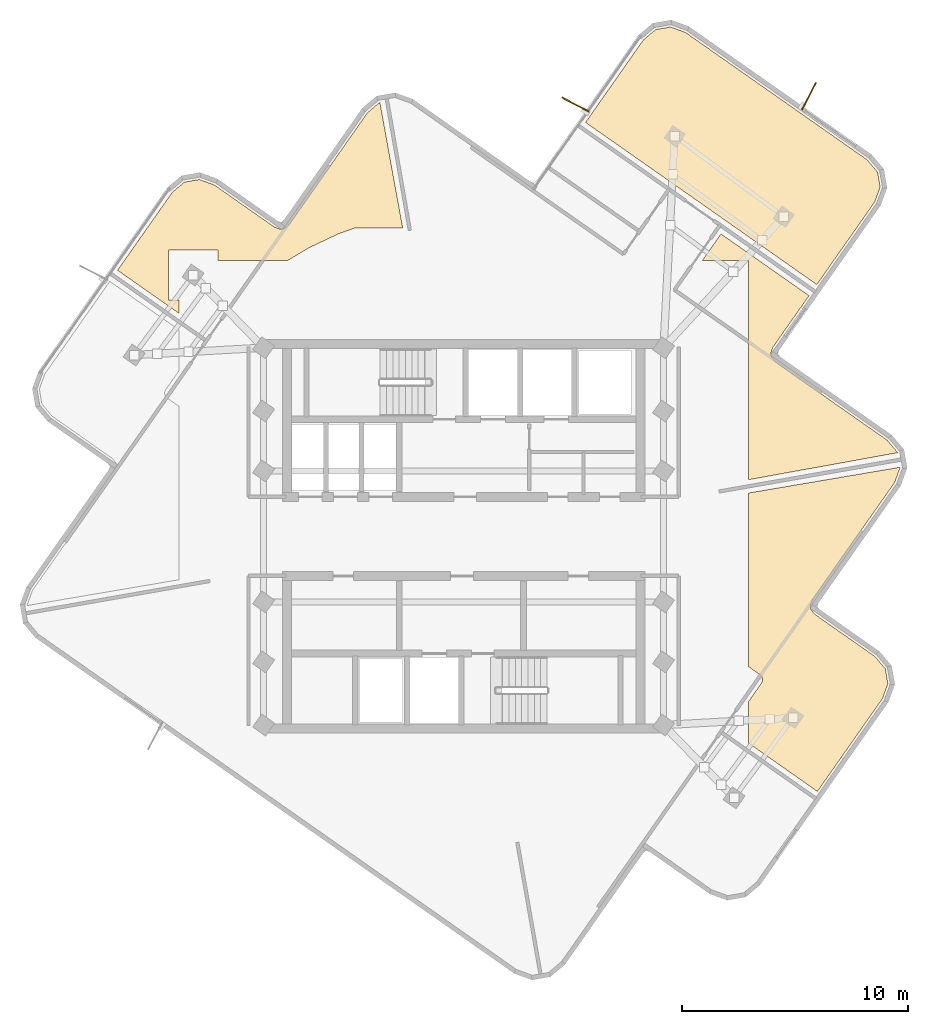
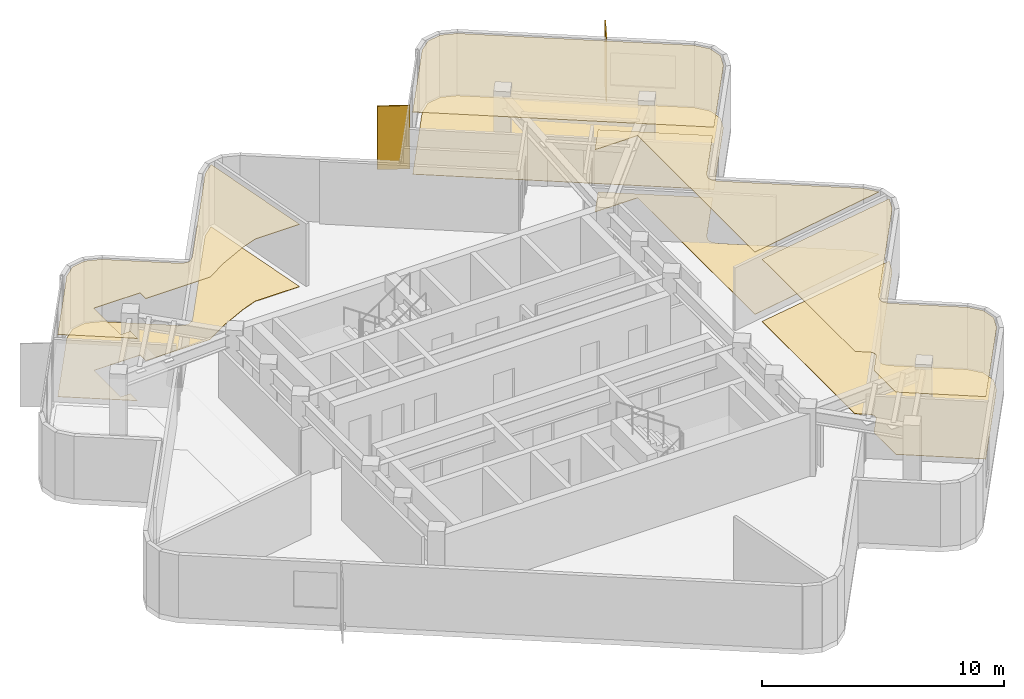
# One storey, part 9 of 9: 8 coverings, 2 shading devices.
"""IFC4 building model written with IfcOpenShell, lengths in metres."""

from ifc_helpers import new_model, si_unit, direction, frame, origin, origin_2d, place, context, subcontext, project, spatial, polyline, rectangle, outline, extrude, material, layer, layer_set, type_object, element, save


model = new_model("IFC4")

# Units and contexts
model_context = context("Model", 3, precision=1e-05, world=origin(), true_north=direction((0.0, 1.0)))
body_context = subcontext(model_context, "Body", "Model", "MODEL_VIEW")
ifc_project = project(units=[si_unit("LENGTHUNIT", "METRE"), si_unit("AREAUNIT", "SQUARE_METRE"), si_unit("VOLUMEUNIT", "CUBIC_METRE"), si_unit("PLANEANGLEUNIT", "RADIAN"), si_unit("MASSUNIT", "GRAM", prefix="KILO")], contexts=[model_context])

# Site, building, storey
site_placement = place(None, origin())
site = spatial("IfcSite", under=ifc_project, at=site_placement, CompositionType="ELEMENT")
building_placement = place(site_placement, origin())
building = spatial("IfcBuilding", under=site, at=building_placement, Name="Solmarez Civic Tower", CompositionType="ELEMENT")
storey_placement = place(building_placement, frame((0.0, 0.0, 268.02001953125)))
storey = spatial("IfcBuildingStorey", under=building, at=storey_placement, Name="L72", CompositionType="ELEMENT", Elevation=268.02001953125)

# Coverings
ifc_material_1 = material(Name="Perforated Mineral-Fibre Acoustic Ceiling")
ifc_layer_1 = layer(ifc_material_1, 0.02490234375)
ifc_layer_set_1 = layer_set([ifc_layer_1], Name="Perforated Mineral-Fibre Acoustic Ceiling")
covering_type_1 = type_object("IfcCoveringType", Name="COV-CEIL-ACOUSTIC", PredefinedType="CEILING", material=ifc_layer_set_1)
covering_1_placement = place(storey_placement, frame((0.0, 0.0, 3.135009765625)))
element("IfcCovering", 1, at=covering_1_placement, inside=storey, type_object=covering_type_1, Name="L72 Suspended Acoustic Ceiling 2", PredefinedType="CEILING", context=body_context, shape_type="SweptSolid", body=[
    extrude(outline(polyline([(15.632080078125, 11.14404296875), (18.193115234375, 14.797119140625), (18.43603515625, 15.4619140625), (18.321044921875, 16.1201171875), (17.864990234375, 16.662109375), (9.823974609375, 22.301025390625), (9.158935546875, 22.5439453125), (8.501953125, 22.428955078125), (7.9580078125, 21.97412109375), (5.39697265625, 18.322021484375), (15.632080078125, 11.14404296875)])), origin(), (0.0, 0.0, 1.0), 0.02490234375),
])
covering_2_placement = place(storey_placement, frame((0.0, 0.0, 3.135009765625)))
element("IfcCovering", 2, at=covering_2_placement, inside=storey, type_object=covering_type_1, Name="L72 Suspended Acoustic Ceiling 3", PredefinedType="CEILING", context=body_context, shape_type="SweptSolid", body=[
    extrude(outline(polyline([(12.60009765625, 1.9189453125), (12.60009765625, -5.757080078125), (13.114013671875, -6.117919921875), (13.1201171875, -6.1220703125), (13.1240234375, -6.125), (13.14208984375, -6.139892578125), (13.158935546875, -6.157958984375), (13.1650390625, -6.1650390625), (13.174072265625, -6.176025390625), (13.179931640625, -6.18408203125), (13.19091796875, -6.199951171875), (13.199951171875, -6.217041015625), (13.2080078125, -6.23388671875), (13.2099609375, -6.239013671875), (13.216064453125, -6.256103515625), (13.220947265625, -6.27294921875), (13.222900390625, -6.281982421875), (13.22412109375, -6.287109375), (13.22509765625, -6.2919921875), (13.22802734375, -6.31298828125), (13.22900390625, -6.3349609375), (13.22900390625, -6.344970703125), (13.22802734375, -6.366943359375), (13.22509765625, -6.387939453125), (13.22412109375, -6.39306640625), (13.217041015625, -6.419921875), (13.214111328125, -6.428955078125), (13.208984375, -6.44091796875), (13.20703125, -6.446044921875), (13.198974609375, -6.462890625), (13.18994140625, -6.47998046875), (13.177978515625, -6.4970703125), (12.60009765625, -7.321044921875), (12.60009765625, -9.14111328125), (15.657958984375, -11.285888671875), (18.534912109375, -7.18310546875), (18.778076171875, -6.51806640625), (18.6630859375, -5.860107421875), (18.2080078125, -5.31689453125), (15.5859375, -3.47900390625), (15.569091796875, -3.466064453125), (15.552001953125, -3.451904296875), (15.547119140625, -3.447021484375), (15.529052734375, -3.426025390625), (15.4189453125, -3.294921875), (15.4140625, -3.2890625), (15.39990234375, -3.27001953125), (15.39599609375, -3.263916015625), (15.385986328125, -3.2470703125), (15.376953125, -3.22900390625), (15.3740234375, -3.221923828125), (15.37109375, -3.215087890625), (15.361083984375, -3.18798828125), (15.35888671875, -3.180908203125), (15.35498046875, -3.1650390625), (15.35302734375, -3.14794921875), (15.35107421875, -3.132080078125), (15.34912109375, -3.113037109375), (15.34912109375, -3.093017578125), (15.35009765625, -3.0830078125), (15.35107421875, -3.070068359375), (15.35400390625, -3.049072265625), (15.35791015625, -3.030029296875), (15.360107421875, -3.02294921875), (15.362060546875, -3.01611328125), (15.366943359375, -3.0009765625), (15.426025390625, -2.839111328125), (15.43701171875, -2.81396484375), (15.446044921875, -2.7958984375), (15.4560546875, -2.779052734375), (15.462890625, -2.76904296875), (19.080078125, 2.388916015625), (19.322021484375, 3.053955078125), (19.321044921875, 3.06103515625), (12.60009765625, 1.9189453125)])), origin(), (0.0, 0.0, 1.0), 0.02490234375),
])
covering_3_placement = place(storey_placement, frame((0.0, 0.0, 3.135009765625)))
element("IfcCovering", 3, at=covering_3_placement, inside=storey, type_object=covering_type_1, Name="L72 Suspended Acoustic Ceiling 4", PredefinedType="CEILING", context=body_context, shape_type="SweptSolid", body=[
    extrude(outline(polyline([(10.55908203125, 12.199951171875), (12.60009765625, 12.199951171875), (12.60009765625, 2.507080078125), (19.208984375, 3.705078125), (19.20703125, 3.7119140625), (18.751953125, 4.25390625), (13.842041015625, 7.697998046875), (13.837890625, 7.700927734375), (13.821044921875, 7.714111328125), (13.803955078125, 7.72802734375), (13.799072265625, 7.73291015625), (13.781005859375, 7.75390625), (13.672119140625, 7.884033203125), (13.656982421875, 7.904052734375), (13.64892578125, 7.916015625), (13.64111328125, 7.928955078125), (13.636962890625, 7.93603515625), (13.6259765625, 7.9580078125), (13.623046875, 7.965087890625), (13.613037109375, 7.991943359375), (13.611083984375, 7.9990234375), (13.60693359375, 8.014892578125), (13.60498046875, 8.031982421875), (13.60400390625, 8.0400390625), (13.60205078125, 8.06689453125), (13.60205078125, 8.08203125), (13.60400390625, 8.10888671875), (13.60498046875, 8.12109375), (13.60595703125, 8.1279296875), (13.612060546875, 8.156982421875), (13.614013671875, 8.1640625), (13.618896484375, 8.178955078125), (13.677978515625, 8.341064453125), (13.68896484375, 8.365966796875), (13.697021484375, 8.383056640625), (13.7080078125, 8.39990234375), (13.718017578125, 8.4150390625), (15.2880859375, 10.653076171875), (11.39111328125, 13.386962890625), (10.55908203125, 12.199951171875)])), origin(), (0.0, 0.0, 1.0), 0.02490234375),
])
covering_4_placement = place(storey_placement, frame((0.0, 0.0, 3.135009765625)))
element("IfcCovering", 4, at=covering_4_placement, inside=storey, type_object=covering_type_1, Name="L72 Suspended Acoustic Ceiling 5", PredefinedType="CEILING", context=body_context, shape_type="SweptSolid", body=[
    extrude(outline(polyline([(-12.60009765625, 9.8740234375), (-12.60009765625, 10.466064453125), (-13.071044921875, 10.466064453125), (-13.071044921875, 12.666015625), (-10.87109375, 12.666015625), (-10.87109375, 12.199951171875), (-7.797119140625, 12.199951171875), (-6.842041015625, 12.77294921875), (-6.826904296875, 12.781005859375), (-6.81396484375, 12.787109375), (-5.552978515625, 13.384033203125), (-5.532958984375, 13.39208984375), (-4.85107421875, 13.635986328125), (-4.844970703125, 13.637939453125), (-4.818115234375, 13.64501953125), (-4.81298828125, 13.64599609375), (-4.7919921875, 13.64892578125), (-4.77001953125, 13.64990234375), (-2.697021484375, 13.64990234375), (-3.705078125, 19.208984375), (-3.7119140625, 19.20703125), (-4.25390625, 18.751953125), (-7.697998046875, 13.842041015625), (-7.700927734375, 13.837890625), (-7.714111328125, 13.821044921875), (-7.72802734375, 13.803955078125), (-7.73291015625, 13.799072265625), (-7.75390625, 13.781005859375), (-7.884033203125, 13.672119140625), (-7.904052734375, 13.656982421875), (-7.916015625, 13.64892578125), (-7.928955078125, 13.64111328125), (-7.93603515625, 13.636962890625), (-7.9580078125, 13.6259765625), (-7.965087890625, 13.623046875), (-7.991943359375, 13.613037109375), (-7.9990234375, 13.611083984375), (-8.014892578125, 13.60693359375), (-8.031982421875, 13.60498046875), (-8.0400390625, 13.60400390625), (-8.06689453125, 13.60205078125), (-8.08203125, 13.60205078125), (-8.10888671875, 13.60400390625), (-8.12109375, 13.60498046875), (-8.1279296875, 13.60595703125), (-8.156982421875, 13.612060546875), (-8.1640625, 13.614013671875), (-8.178955078125, 13.618896484375), (-8.341064453125, 13.677978515625), (-8.365966796875, 13.68896484375), (-8.383056640625, 13.697021484375), (-8.39990234375, 13.7080078125), (-8.4150390625, 13.718017578125), (-11.031005859375, 15.552001953125), (-11.696044921875, 15.794921875), (-12.35400390625, 15.679931640625), (-12.89599609375, 15.22412109375), (-15.31396484375, 11.777099609375), (-12.60009765625, 9.8740234375)])), origin(), (0.0, 0.0, 1.0), 0.02490234375),
])
ifc_material_2 = material(Name="Polished Tropical Stone Terrazzo Flooring", Category="masonry")
ifc_layer_2 = layer(ifc_material_2, 0.02001953125)
ifc_layer_set_2 = layer_set([ifc_layer_2], Name="Polished Tropical Stone Terrazzo Flooring")
covering_type_2 = type_object("IfcCoveringType", Name="COV-FLOOR-TERRAZZO", PredefinedType="FLOORING", material=ifc_layer_set_2)
covering_5_placement = place(storey_placement, origin())
element("IfcCovering", 5, at=covering_5_placement, inside=storey, type_object=covering_type_2, Name="L72 Terrazzo Floor Finish 2", PredefinedType="FLOORING", context=body_context, shape_type="SweptSolid", body=[
    extrude(outline(polyline([(15.632080078125, 11.14404296875), (18.193115234375, 14.797119140625), (18.43603515625, 15.4619140625), (18.321044921875, 16.1201171875), (17.864990234375, 16.662109375), (9.823974609375, 22.301025390625), (9.158935546875, 22.5439453125), (8.501953125, 22.428955078125), (7.9580078125, 21.97412109375), (5.39697265625, 18.322021484375), (15.632080078125, 11.14404296875)])), origin(), (0.0, 0.0, 1.0), 0.02001953125),
])
covering_6_placement = place(storey_placement, origin())
element("IfcCovering", 6, at=covering_6_placement, inside=storey, type_object=covering_type_2, Name="L72 Terrazzo Floor Finish 3", PredefinedType="FLOORING", context=body_context, shape_type="SweptSolid", body=[
    extrude(outline(polyline([(12.60009765625, 1.9189453125), (12.60009765625, -5.757080078125), (13.114013671875, -6.117919921875), (13.1201171875, -6.1220703125), (13.1240234375, -6.125), (13.14208984375, -6.139892578125), (13.158935546875, -6.157958984375), (13.1650390625, -6.1650390625), (13.174072265625, -6.176025390625), (13.179931640625, -6.18408203125), (13.19091796875, -6.199951171875), (13.199951171875, -6.217041015625), (13.2080078125, -6.23388671875), (13.2099609375, -6.239013671875), (13.216064453125, -6.256103515625), (13.220947265625, -6.27294921875), (13.222900390625, -6.281982421875), (13.22412109375, -6.287109375), (13.22509765625, -6.2919921875), (13.22802734375, -6.31298828125), (13.22900390625, -6.3349609375), (13.22900390625, -6.344970703125), (13.22802734375, -6.366943359375), (13.22509765625, -6.387939453125), (13.22412109375, -6.39306640625), (13.217041015625, -6.419921875), (13.214111328125, -6.428955078125), (13.208984375, -6.44091796875), (13.20703125, -6.446044921875), (13.198974609375, -6.462890625), (13.18994140625, -6.47998046875), (13.177978515625, -6.4970703125), (12.60009765625, -7.321044921875), (12.60009765625, -9.14111328125), (15.657958984375, -11.285888671875), (18.534912109375, -7.18310546875), (18.778076171875, -6.51806640625), (18.6630859375, -5.860107421875), (18.2080078125, -5.31689453125), (15.5859375, -3.47900390625), (15.569091796875, -3.466064453125), (15.552001953125, -3.451904296875), (15.547119140625, -3.447021484375), (15.529052734375, -3.426025390625), (15.4189453125, -3.294921875), (15.4140625, -3.2890625), (15.39990234375, -3.27001953125), (15.39599609375, -3.263916015625), (15.385986328125, -3.2470703125), (15.376953125, -3.22900390625), (15.3740234375, -3.221923828125), (15.37109375, -3.215087890625), (15.361083984375, -3.18798828125), (15.35888671875, -3.180908203125), (15.35498046875, -3.1650390625), (15.35302734375, -3.14794921875), (15.35107421875, -3.132080078125), (15.34912109375, -3.113037109375), (15.34912109375, -3.093017578125), (15.35009765625, -3.0830078125), (15.35107421875, -3.070068359375), (15.35400390625, -3.049072265625), (15.35791015625, -3.030029296875), (15.360107421875, -3.02294921875), (15.362060546875, -3.01611328125), (15.366943359375, -3.0009765625), (15.426025390625, -2.839111328125), (15.43701171875, -2.81396484375), (15.446044921875, -2.7958984375), (15.4560546875, -2.779052734375), (15.462890625, -2.76904296875), (19.080078125, 2.388916015625), (19.322021484375, 3.053955078125), (19.321044921875, 3.06103515625), (12.60009765625, 1.9189453125)])), origin(), (0.0, 0.0, 1.0), 0.02001953125),
])
covering_7_placement = place(storey_placement, origin())
element("IfcCovering", 7, at=covering_7_placement, inside=storey, type_object=covering_type_2, Name="L72 Terrazzo Floor Finish 4", PredefinedType="FLOORING", context=body_context, shape_type="SweptSolid", body=[
    extrude(outline(polyline([(10.55908203125, 12.199951171875), (12.60009765625, 12.199951171875), (12.60009765625, 2.507080078125), (19.208984375, 3.705078125), (19.20703125, 3.7119140625), (18.751953125, 4.25390625), (13.842041015625, 7.697998046875), (13.837890625, 7.700927734375), (13.821044921875, 7.714111328125), (13.803955078125, 7.72802734375), (13.799072265625, 7.73291015625), (13.781005859375, 7.75390625), (13.672119140625, 7.884033203125), (13.656982421875, 7.904052734375), (13.64892578125, 7.916015625), (13.64111328125, 7.928955078125), (13.636962890625, 7.93603515625), (13.6259765625, 7.9580078125), (13.623046875, 7.965087890625), (13.613037109375, 7.991943359375), (13.611083984375, 7.9990234375), (13.60693359375, 8.014892578125), (13.60498046875, 8.031982421875), (13.60400390625, 8.0400390625), (13.60205078125, 8.06689453125), (13.60205078125, 8.08203125), (13.60400390625, 8.10888671875), (13.60498046875, 8.12109375), (13.60595703125, 8.1279296875), (13.612060546875, 8.156982421875), (13.614013671875, 8.1640625), (13.618896484375, 8.178955078125), (13.677978515625, 8.341064453125), (13.68896484375, 8.365966796875), (13.697021484375, 8.383056640625), (13.7080078125, 8.39990234375), (13.718017578125, 8.4150390625), (15.2880859375, 10.653076171875), (11.39111328125, 13.386962890625), (10.55908203125, 12.199951171875)])), origin(), (0.0, 0.0, 1.0), 0.02001953125),
])
covering_8_placement = place(storey_placement, origin())
element("IfcCovering", 8, at=covering_8_placement, inside=storey, type_object=covering_type_2, Name="L72 Terrazzo Floor Finish 5", PredefinedType="FLOORING", context=body_context, shape_type="SweptSolid", body=[
    extrude(outline(polyline([(-12.60009765625, 9.8740234375), (-12.60009765625, 10.466064453125), (-13.071044921875, 10.466064453125), (-13.071044921875, 12.666015625), (-10.87109375, 12.666015625), (-10.87109375, 12.199951171875), (-7.797119140625, 12.199951171875), (-6.842041015625, 12.77294921875), (-6.826904296875, 12.781005859375), (-6.81396484375, 12.787109375), (-5.552978515625, 13.384033203125), (-5.532958984375, 13.39208984375), (-4.85107421875, 13.635986328125), (-4.844970703125, 13.637939453125), (-4.818115234375, 13.64501953125), (-4.81298828125, 13.64599609375), (-4.7919921875, 13.64892578125), (-4.77001953125, 13.64990234375), (-2.697021484375, 13.64990234375), (-3.705078125, 19.208984375), (-3.7119140625, 19.20703125), (-4.25390625, 18.751953125), (-7.697998046875, 13.842041015625), (-7.700927734375, 13.837890625), (-7.714111328125, 13.821044921875), (-7.72802734375, 13.803955078125), (-7.73291015625, 13.799072265625), (-7.75390625, 13.781005859375), (-7.884033203125, 13.672119140625), (-7.904052734375, 13.656982421875), (-7.916015625, 13.64892578125), (-7.928955078125, 13.64111328125), (-7.93603515625, 13.636962890625), (-7.9580078125, 13.6259765625), (-7.965087890625, 13.623046875), (-7.991943359375, 13.613037109375), (-7.9990234375, 13.611083984375), (-8.014892578125, 13.60693359375), (-8.031982421875, 13.60498046875), (-8.0400390625, 13.60400390625), (-8.06689453125, 13.60205078125), (-8.08203125, 13.60205078125), (-8.10888671875, 13.60400390625), (-8.12109375, 13.60498046875), (-8.1279296875, 13.60595703125), (-8.156982421875, 13.612060546875), (-8.1640625, 13.614013671875), (-8.178955078125, 13.618896484375), (-8.341064453125, 13.677978515625), (-8.365966796875, 13.68896484375), (-8.383056640625, 13.697021484375), (-8.39990234375, 13.7080078125), (-8.4150390625, 13.718017578125), (-11.031005859375, 15.552001953125), (-11.696044921875, 15.794921875), (-12.35400390625, 15.679931640625), (-12.89599609375, 15.22412109375), (-15.31396484375, 11.777099609375), (-12.60009765625, 9.8740234375)])), origin(), (0.0, 0.0, 1.0), 0.02001953125),
])

# Shading devices
ifc_material_3 = material(Name="Bronze Anodised Aluminium EN AW-6063 T6", Category="aluminium")
ifc_layer_3 = layer(ifc_material_3, 0.054931640625)
ifc_layer_set_3 = layer_set([ifc_layer_3], Name="Bronze Anodised Aluminium EN AW-6063 T6")
shading_device_type = type_object("IfcShadingDeviceType", Name="FIN-BRONZE-Z56", PredefinedType="USERDEFINED", material=ifc_layer_set_3)
for number, where, z_axis, x_axis, name in (
    (9, (4.946044921875, 19.114990234375, -0.0400390625), (0.0, 0.0, 1.0), (-0.886736669876, 0.462274894729, 0.0), "L72 Anodised Bronze Solar Fin FIN-L72-03"),
    (10, (15.283935546875, 19.47998046875, -0.0400390625), (0.0, 0.0, 1.0), (0.462259418184, 0.88674473796, 0.0), "L72 Anodised Bronze Solar Fin FIN-L72-04"),
):
    element("IfcShadingDevice", number, at=place(storey_placement, frame(where, z_axis=z_axis, x_axis=x_axis)), inside=storey, type_object=shading_device_type, Name=name, ObjectType="FIN", PredefinedType="USERDEFINED", context=body_context, shape_type="SweptSolid", body=[
        extrude(rectangle(XDim=1.35009765625, YDim=0.054931640625, at=origin_2d()), origin(), (0.0, 0.0, 1.0), 3.199951171875),
    ])

save(model, "model.ifc")
